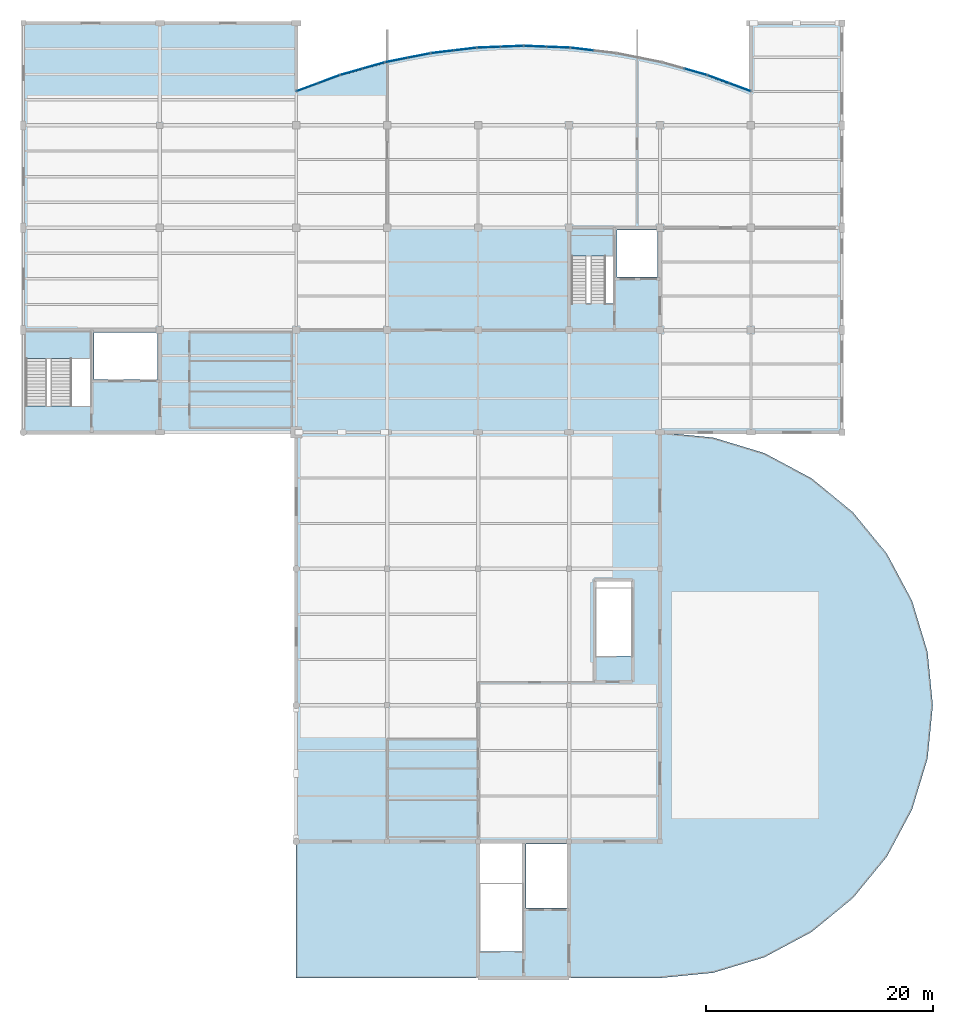
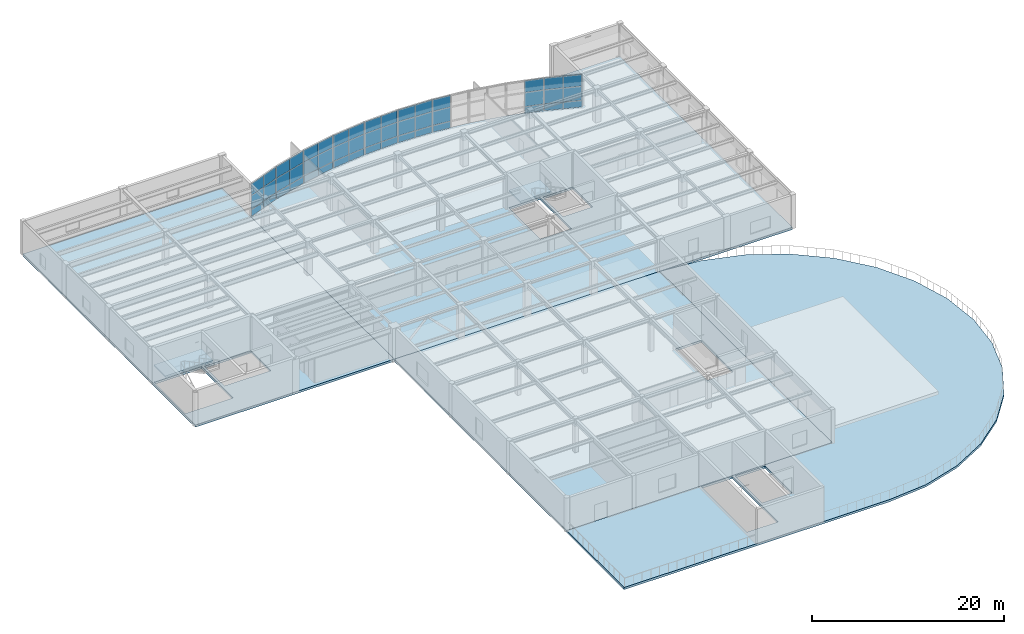
# One storey, part 6 of 16: 48 plates, 6 slabs, 11 elements without a shape of their own.
"""IFC4 building model written with IfcOpenShell, lengths in metres."""

from ifc_helpers import new_model, si_unit, direction, frame, origin, origin_2d, place, context, subcontext, project, spatial, polyline, rectangle, outline, extrude, material, layer, layer_set, type_object, element, aggregate, save


model = new_model("IFC4")

# Units and contexts
model_context = context("Model", 3, precision=1e-05, world=origin(), true_north=direction((0.0, 1.0)))
body_context = subcontext(model_context, "Body", "Model", "MODEL_VIEW")
ifc_project = project(units=[si_unit("LENGTHUNIT", "METRE"), si_unit("AREAUNIT", "SQUARE_METRE"), si_unit("VOLUMEUNIT", "CUBIC_METRE"), si_unit("PLANEANGLEUNIT", "RADIAN"), si_unit("MASSUNIT", "GRAM", prefix="KILO")], contexts=[model_context])

# Site, building, storey
site_placement = place(None, origin())
site = spatial("IfcSite", under=ifc_project, at=site_placement, CompositionType="ELEMENT")
building_placement = place(site_placement, origin())
building = spatial("IfcBuilding", under=site, at=building_placement, Name="Keelwater Ferry Terminal", CompositionType="ELEMENT")
storey_placement = place(building_placement, frame((0.0, 0.0, 15.0)))
storey = spatial("IfcBuildingStorey", under=building, at=storey_placement, Name="L03", CompositionType="ELEMENT", Elevation=15.0)

# Curtain wall, plates
ifc_material_1 = material(Name="Thermally broken unitised aluminium and triple glass", Category="aluminium")
ifc_layer_1 = layer(ifc_material_1, 0.179931640625)
ifc_layer_set_1 = layer_set([ifc_layer_1], Name="Thermally broken unitised aluminium and triple glass")
curtain_wall_type = type_object("IfcCurtainWallType", Name="CW-22 Unitised Curtain Wall 4015x4150", PredefinedType="USERDEFINED", material=ifc_layer_set_1)
curtain_wall_1_placement = place(storey_placement, origin())
curtain_wall_1 = element("IfcCurtainWall", 1, at=curtain_wall_1_placement, inside=storey, type_object=curtain_wall_type, Name="Unitised Curtain Wall CW-L03-203", ObjectType="UNITISED CURTAIN WALL", PredefinedType="USERDEFINED")
ifc_material_2 = material(Name="Insulated terracotta shadow-box spandrel", Category="masonry")
ifc_layer_2 = layer(ifc_material_2, 0.110107421875)
ifc_layer_set_2 = layer_set([ifc_layer_2], Name="Insulated terracotta shadow-box spandrel")
plate_type_1 = type_object("IfcPlateType", Name="CWP-S3 Insulated Spandrel Panel 110", PredefinedType="CURTAIN_PANEL", material=ifc_layer_set_2)
plate_1_placement = place(storey_placement, frame((171.01708984375, 120.364990234375, 0.0), z_axis=(0.0, 0.0, 1.0), x_axis=(-0.937592418253, 0.347736189136, 0.0)))
plate_1 = element("IfcPlate", 2, at=plate_1_placement, type_object=plate_type_1, Name="CW-L03-203 Panel 1.1", PredefinedType="CURTAIN_PANEL", context=body_context, shape_type="SweptSolid", body=[
    extrude(rectangle(XDim=2.00732421875, YDim=0.110107421875, at=origin_2d()), origin(), (0.0, 0.0, 1.0), 0.85009765625),
])
plate_2_placement = place(storey_placement, frame((169.135009765625, 121.06298828125, 0.0), z_axis=(0.0, 0.0, 1.0), x_axis=(-0.937592418253, 0.347736189136, 0.0)))
plate_2 = element("IfcPlate", 3, at=plate_2_placement, type_object=plate_type_1, Name="CW-L03-203 Panel 2.1", PredefinedType="CURTAIN_PANEL", context=body_context, shape_type="SweptSolid", body=[
    extrude(rectangle(XDim=2.00732421875, YDim=0.110107421875, at=origin_2d()), origin(), (0.0, 0.0, 1.0), 0.85009765625),
])

# Curtain wall, plate
curtain_wall_2_placement = place(storey_placement, origin())
curtain_wall_2 = element("IfcCurtainWall", 4, at=curtain_wall_2_placement, inside=storey, type_object=curtain_wall_type, Name="Unitised Curtain Wall CW-L03-204", ObjectType="UNITISED CURTAIN WALL", PredefinedType="USERDEFINED")
plate_3_placement = place(storey_placement, frame((167.143310546875, 121.714111328125, 0.0), z_axis=(0.0, 0.0, 1.0), x_axis=(-0.962029778706, 0.272944508797, 0.0)))
plate_3 = element("IfcPlate", 5, at=plate_3_placement, type_object=plate_type_1, Name="CW-L03-204 Panel 1.1", PredefinedType="CURTAIN_PANEL", context=body_context, shape_type="SweptSolid", body=[
    extrude(rectangle(XDim=2.0078125, YDim=0.110107421875, at=origin_2d()), origin(), (0.0, 0.0, 1.0), 0.85009765625),
])

curtain_wall_3_placement = place(storey_placement, origin())
curtain_wall_3 = element("IfcCurtainWall", 6, at=curtain_wall_3_placement, inside=storey, type_object=curtain_wall_type, Name="Unitised Curtain Wall CW-L03-206", ObjectType="UNITISED CURTAIN WALL", PredefinedType="USERDEFINED")
plate_4_placement = place(storey_placement, frame((157.1435546875, 123.71435546875, 0.0), z_axis=(0.0, 0.0, 1.0), x_axis=(-0.992974342459, 0.118329857676, 0.0)))
plate_4 = element("IfcPlate", 7, at=plate_4_placement, type_object=plate_type_1, Name="CW-L03-206 Panel 2.1", PredefinedType="CURTAIN_PANEL", context=body_context, shape_type="SweptSolid", body=[
    extrude(rectangle(XDim=2.007080078125, YDim=0.110107421875, at=origin_2d()), origin(), (0.0, 0.0, 1.0), 0.85009765625),
])

# Curtain wall, plates
curtain_wall_4_placement = place(storey_placement, origin())
curtain_wall_4 = element("IfcCurtainWall", 8, at=curtain_wall_4_placement, inside=storey, type_object=curtain_wall_type, Name="Unitised Curtain Wall CW-L03-207", ObjectType="UNITISED CURTAIN WALL", PredefinedType="USERDEFINED")
plate_5_placement = place(storey_placement, frame((155.053955078125, 123.87939453125, 0.0), z_axis=(0.0, 0.0, 1.0), x_axis=(-0.999225435626, 0.039351350652, 0.0)))
plate_5 = element("IfcPlate", 9, at=plate_5_placement, type_object=plate_type_1, Name="CW-L03-207 Panel 1.1", PredefinedType="CURTAIN_PANEL", context=body_context, shape_type="SweptSolid", body=[
    extrude(rectangle(XDim=2.007568359375, YDim=0.110107421875, at=origin_2d()), origin(), (0.0, 0.0, 1.0), 0.85009765625),
])
plate_6_placement = place(storey_placement, frame((153.048095703125, 123.95849609375, 0.0), z_axis=(0.0, 0.0, 1.0), x_axis=(-0.999225435626, 0.039351350652, 0.0)))
plate_6 = element("IfcPlate", 10, at=plate_6_placement, type_object=plate_type_1, Name="CW-L03-207 Panel 2.1", PredefinedType="CURTAIN_PANEL", context=body_context, shape_type="SweptSolid", body=[
    extrude(rectangle(XDim=2.007568359375, YDim=0.110107421875, at=origin_2d()), origin(), (0.0, 0.0, 1.0), 0.85009765625),
])

curtain_wall_5_placement = place(storey_placement, origin())
curtain_wall_5 = element("IfcCurtainWall", 11, at=curtain_wall_5_placement, inside=storey, type_object=curtain_wall_type, Name="Unitised Curtain Wall CW-L03-208", ObjectType="UNITISED CURTAIN WALL", PredefinedType="USERDEFINED")
plate_7_placement = place(storey_placement, frame((150.951904296875, 123.95849609375, 0.0), z_axis=(0.0, 0.0, 1.0), x_axis=(-0.999225435626, -0.039351350652, 0.0)))
plate_7 = element("IfcPlate", 12, at=plate_7_placement, type_object=plate_type_1, Name="CW-L03-208 Panel 1.1", PredefinedType="CURTAIN_PANEL", context=body_context, shape_type="SweptSolid", body=[
    extrude(rectangle(XDim=2.007568359375, YDim=0.110107421875, at=origin_2d()), origin(), (0.0, 0.0, 1.0), 0.85009765625),
])
plate_8_placement = place(storey_placement, frame((148.946044921875, 123.87939453125, 0.0), z_axis=(0.0, 0.0, 1.0), x_axis=(-0.999225435626, -0.039351350652, 0.0)))
plate_8 = element("IfcPlate", 13, at=plate_8_placement, type_object=plate_type_1, Name="CW-L03-208 Panel 2.1", PredefinedType="CURTAIN_PANEL", context=body_context, shape_type="SweptSolid", body=[
    extrude(rectangle(XDim=2.007568359375, YDim=0.110107421875, at=origin_2d()), origin(), (0.0, 0.0, 1.0), 0.85009765625),
])

curtain_wall_6_placement = place(storey_placement, origin())
curtain_wall_6 = element("IfcCurtainWall", 14, at=curtain_wall_6_placement, inside=storey, type_object=curtain_wall_type, Name="Unitised Curtain Wall CW-L03-209", ObjectType="UNITISED CURTAIN WALL", PredefinedType="USERDEFINED")
plate_9_placement = place(storey_placement, frame((146.8564453125, 123.71435546875, 0.0), z_axis=(0.0, 0.0, 1.0), x_axis=(-0.992974342459, -0.118329857676, 0.0)))
plate_9 = element("IfcPlate", 15, at=plate_9_placement, type_object=plate_type_1, Name="CW-L03-209 Panel 1.1", PredefinedType="CURTAIN_PANEL", context=body_context, shape_type="SweptSolid", body=[
    extrude(rectangle(XDim=2.007080078125, YDim=0.110107421875, at=origin_2d()), origin(), (0.0, 0.0, 1.0), 0.85009765625),
])
plate_10_placement = place(storey_placement, frame((144.863525390625, 123.476806640625, 0.0), z_axis=(0.0, 0.0, 1.0), x_axis=(-0.992974342459, -0.118329857676, 0.0)))
plate_10 = element("IfcPlate", 16, at=plate_10_placement, type_object=plate_type_1, Name="CW-L03-209 Panel 2.1", PredefinedType="CURTAIN_PANEL", context=body_context, shape_type="SweptSolid", body=[
    extrude(rectangle(XDim=2.007080078125, YDim=0.110107421875, at=origin_2d()), origin(), (0.0, 0.0, 1.0), 0.85009765625),
])

curtain_wall_7_placement = place(storey_placement, origin())
curtain_wall_7 = element("IfcCurtainWall", 17, at=curtain_wall_7_placement, inside=storey, type_object=curtain_wall_type, Name="Unitised Curtain Wall CW-L03-210", ObjectType="UNITISED CURTAIN WALL", PredefinedType="USERDEFINED")
plate_11_placement = place(storey_placement, frame((142.793701171875, 123.147216796875, 0.0), z_axis=(0.0, 0.0, 1.0), x_axis=(-0.98059983046, -0.196020336958, 0.0)))
plate_11 = element("IfcPlate", 18, at=plate_11_placement, type_object=plate_type_1, Name="CW-L03-210 Panel 1.1", PredefinedType="CURTAIN_PANEL", context=body_context, shape_type="SweptSolid", body=[
    extrude(rectangle(XDim=2.00732421875, YDim=0.110107421875, at=origin_2d()), origin(), (0.0, 0.0, 1.0), 0.85009765625),
])
plate_12_placement = place(storey_placement, frame((140.8251953125, 122.753662109375, 0.0), z_axis=(0.0, 0.0, 1.0), x_axis=(-0.98059983046, -0.196020336958, 0.0)))
plate_12 = element("IfcPlate", 19, at=plate_12_placement, type_object=plate_type_1, Name="CW-L03-210 Panel 2.1", PredefinedType="CURTAIN_PANEL", context=body_context, shape_type="SweptSolid", body=[
    extrude(rectangle(XDim=2.00732421875, YDim=0.110107421875, at=origin_2d()), origin(), (0.0, 0.0, 1.0), 0.85009765625),
])

curtain_wall_8_placement = place(storey_placement, origin())
curtain_wall_8 = element("IfcCurtainWall", 20, at=curtain_wall_8_placement, inside=storey, type_object=curtain_wall_type, Name="Unitised Curtain Wall CW-L03-211", ObjectType="UNITISED CURTAIN WALL", PredefinedType="USERDEFINED")
plate_13_placement = place(storey_placement, frame((138.788330078125, 122.261962890625, 0.0), z_axis=(0.0, 0.0, 1.0), x_axis=(-0.962029778706, -0.272944508797, 0.0)))
plate_13 = element("IfcPlate", 21, at=plate_13_placement, type_object=plate_type_1, Name="CW-L03-211 Panel 1.1", PredefinedType="CURTAIN_PANEL", context=body_context, shape_type="SweptSolid", body=[
    extrude(rectangle(XDim=2.0078125, YDim=0.110107421875, at=origin_2d()), origin(), (0.0, 0.0, 1.0), 0.85009765625),
])
plate_14_placement = place(storey_placement, frame((136.856689453125, 121.714111328125, 0.0), z_axis=(0.0, 0.0, 1.0), x_axis=(-0.962029778706, -0.272944508797, 0.0)))
plate_14 = element("IfcPlate", 22, at=plate_14_placement, type_object=plate_type_1, Name="CW-L03-211 Panel 2.1", PredefinedType="CURTAIN_PANEL", context=body_context, shape_type="SweptSolid", body=[
    extrude(rectangle(XDim=2.0078125, YDim=0.110107421875, at=origin_2d()), origin(), (0.0, 0.0, 1.0), 0.85009765625),
])

curtain_wall_9_placement = place(storey_placement, origin())
curtain_wall_9 = element("IfcCurtainWall", 23, at=curtain_wall_9_placement, inside=storey, type_object=curtain_wall_type, Name="Unitised Curtain Wall CW-L03-212", ObjectType="UNITISED CURTAIN WALL", PredefinedType="USERDEFINED")
plate_15_placement = place(storey_placement, frame((134.864990234375, 121.06298828125, 0.0), z_axis=(0.0, 0.0, 1.0), x_axis=(-0.937592418253, -0.347736189136, 0.0)))
plate_15 = element("IfcPlate", 24, at=plate_15_placement, type_object=plate_type_1, Name="CW-L03-212 Panel 1.1", PredefinedType="CURTAIN_PANEL", context=body_context, shape_type="SweptSolid", body=[
    extrude(rectangle(XDim=2.00732421875, YDim=0.110107421875, at=origin_2d()), origin(), (0.0, 0.0, 1.0), 0.85009765625),
])
plate_16_placement = place(storey_placement, frame((132.98291015625, 120.364990234375, 0.0), z_axis=(0.0, 0.0, 1.0), x_axis=(-0.937592418253, -0.347736189136, 0.0)))
plate_16 = element("IfcPlate", 25, at=plate_16_placement, type_object=plate_type_1, Name="CW-L03-212 Panel 2.1", PredefinedType="CURTAIN_PANEL", context=body_context, shape_type="SweptSolid", body=[
    extrude(rectangle(XDim=2.00732421875, YDim=0.110107421875, at=origin_2d()), origin(), (0.0, 0.0, 1.0), 0.85009765625),
])

# Plate
ifc_material_3 = material(Name="Triple low-E laminated glass", Category="glass")
ifc_layer_3 = layer(ifc_material_3, 0.035888671875)
ifc_layer_set_3 = layer_set([ifc_layer_3], Name="Triple low-E laminated glass")
plate_type_2 = type_object("IfcPlateType", Name="CWP-V1 Glazed Vision Panel 36", PredefinedType="CURTAIN_PANEL", material=ifc_layer_set_3)
plate_17_placement = place(storey_placement, frame((171.01708984375, 120.364990234375, 0.85009765625), z_axis=(0.0, 0.0, 1.0), x_axis=(-0.937592418253, 0.347736189136, 0.0)))
plate_17 = element("IfcPlate", 26, at=plate_17_placement, type_object=plate_type_2, Name="CW-L03-203 Panel 1.2", PredefinedType="CURTAIN_PANEL", context=body_context, shape_type="SweptSolid", body=[
    extrude(rectangle(XDim=2.00732421875, YDim=0.035888671875, at=origin_2d()), origin(), (0.0, 0.0, 1.0), 1.800048828125),
])

plate_18_placement = place(storey_placement, frame((171.01708984375, 120.364990234375, 2.64990234375), z_axis=(0.0, 0.0, 1.0), x_axis=(-0.937592418253, 0.347736189136, 0.0)))
plate_18 = element("IfcPlate", 27, at=plate_18_placement, type_object=plate_type_2, Name="CW-L03-203 Panel 1.3", PredefinedType="CURTAIN_PANEL", context=body_context, shape_type="SweptSolid", body=[
    extrude(rectangle(XDim=2.00732421875, YDim=0.035888671875, at=origin_2d()), origin(), (0.0, 0.0, 1.0), 1.5),
])

plate_19_placement = place(storey_placement, frame((169.135009765625, 121.06298828125, 0.85009765625), z_axis=(0.0, 0.0, 1.0), x_axis=(-0.937592418253, 0.347736189136, 0.0)))
plate_19 = element("IfcPlate", 28, at=plate_19_placement, type_object=plate_type_2, Name="CW-L03-203 Panel 2.2", PredefinedType="CURTAIN_PANEL", context=body_context, shape_type="SweptSolid", body=[
    extrude(rectangle(XDim=2.00732421875, YDim=0.035888671875, at=origin_2d()), origin(), (0.0, 0.0, 1.0), 1.800048828125),
])

plate_20_placement = place(storey_placement, frame((169.135009765625, 121.06298828125, 2.64990234375), z_axis=(0.0, 0.0, 1.0), x_axis=(-0.937592418253, 0.347736189136, 0.0)))
plate_20 = element("IfcPlate", 29, at=plate_20_placement, type_object=plate_type_2, Name="CW-L03-203 Panel 2.3", PredefinedType="CURTAIN_PANEL", context=body_context, shape_type="SweptSolid", body=[
    extrude(rectangle(XDim=2.00732421875, YDim=0.035888671875, at=origin_2d()), origin(), (0.0, 0.0, 1.0), 1.5),
])

aggregate(curtain_wall_1, [plate_1, plate_17, plate_18, plate_2, plate_19, plate_20])

plate_21_placement = place(storey_placement, frame((167.143310546875, 121.714111328125, 0.85009765625), z_axis=(0.0, 0.0, 1.0), x_axis=(-0.962029778706, 0.272944508797, 0.0)))
plate_21 = element("IfcPlate", 30, at=plate_21_placement, type_object=plate_type_2, Name="CW-L03-204 Panel 1.2", PredefinedType="CURTAIN_PANEL", context=body_context, shape_type="SweptSolid", body=[
    extrude(rectangle(XDim=2.0078125, YDim=0.035888671875, at=origin_2d()), origin(), (0.0, 0.0, 1.0), 1.800048828125),
])

plate_22_placement = place(storey_placement, frame((167.143310546875, 121.714111328125, 2.64990234375), z_axis=(0.0, 0.0, 1.0), x_axis=(-0.962029778706, 0.272944508797, 0.0)))
plate_22 = element("IfcPlate", 31, at=plate_22_placement, type_object=plate_type_2, Name="CW-L03-204 Panel 1.3", PredefinedType="CURTAIN_PANEL", context=body_context, shape_type="SweptSolid", body=[
    extrude(rectangle(XDim=2.0078125, YDim=0.035888671875, at=origin_2d()), origin(), (0.0, 0.0, 1.0), 1.5),
])

aggregate(curtain_wall_2, [plate_3, plate_21, plate_22])

plate_23_placement = place(storey_placement, frame((157.1435546875, 123.71435546875, 0.85009765625), z_axis=(0.0, 0.0, 1.0), x_axis=(-0.992974342459, 0.118329857676, 0.0)))
plate_23 = element("IfcPlate", 32, at=plate_23_placement, type_object=plate_type_2, Name="CW-L03-206 Panel 2.2", PredefinedType="CURTAIN_PANEL", context=body_context, shape_type="SweptSolid", body=[
    extrude(rectangle(XDim=2.007080078125, YDim=0.035888671875, at=origin_2d()), origin(), (0.0, 0.0, 1.0), 1.800048828125),
])

plate_24_placement = place(storey_placement, frame((157.1435546875, 123.71435546875, 2.64990234375), z_axis=(0.0, 0.0, 1.0), x_axis=(-0.992974342459, 0.118329857676, 0.0)))
plate_24 = element("IfcPlate", 33, at=plate_24_placement, type_object=plate_type_2, Name="CW-L03-206 Panel 2.3", PredefinedType="CURTAIN_PANEL", context=body_context, shape_type="SweptSolid", body=[
    extrude(rectangle(XDim=2.007080078125, YDim=0.035888671875, at=origin_2d()), origin(), (0.0, 0.0, 1.0), 1.5),
])

aggregate(curtain_wall_3, [plate_4, plate_23, plate_24])

plate_25_placement = place(storey_placement, frame((155.053955078125, 123.87939453125, 0.85009765625), z_axis=(0.0, 0.0, 1.0), x_axis=(-0.999225435626, 0.039351350652, 0.0)))
plate_25 = element("IfcPlate", 34, at=plate_25_placement, type_object=plate_type_2, Name="CW-L03-207 Panel 1.2", PredefinedType="CURTAIN_PANEL", context=body_context, shape_type="SweptSolid", body=[
    extrude(rectangle(XDim=2.007568359375, YDim=0.035888671875, at=origin_2d()), origin(), (0.0, 0.0, 1.0), 1.800048828125),
])

plate_26_placement = place(storey_placement, frame((155.053955078125, 123.87939453125, 2.64990234375), z_axis=(0.0, 0.0, 1.0), x_axis=(-0.999225435626, 0.039351350652, 0.0)))
plate_26 = element("IfcPlate", 35, at=plate_26_placement, type_object=plate_type_2, Name="CW-L03-207 Panel 1.3", PredefinedType="CURTAIN_PANEL", context=body_context, shape_type="SweptSolid", body=[
    extrude(rectangle(XDim=2.007568359375, YDim=0.035888671875, at=origin_2d()), origin(), (0.0, 0.0, 1.0), 1.5),
])

plate_27_placement = place(storey_placement, frame((153.048095703125, 123.95849609375, 0.85009765625), z_axis=(0.0, 0.0, 1.0), x_axis=(-0.999225435626, 0.039351350652, 0.0)))
plate_27 = element("IfcPlate", 36, at=plate_27_placement, type_object=plate_type_2, Name="CW-L03-207 Panel 2.2", PredefinedType="CURTAIN_PANEL", context=body_context, shape_type="SweptSolid", body=[
    extrude(rectangle(XDim=2.007568359375, YDim=0.035888671875, at=origin_2d()), origin(), (0.0, 0.0, 1.0), 1.800048828125),
])

plate_28_placement = place(storey_placement, frame((153.048095703125, 123.95849609375, 2.64990234375), z_axis=(0.0, 0.0, 1.0), x_axis=(-0.999225435626, 0.039351350652, 0.0)))
plate_28 = element("IfcPlate", 37, at=plate_28_placement, type_object=plate_type_2, Name="CW-L03-207 Panel 2.3", PredefinedType="CURTAIN_PANEL", context=body_context, shape_type="SweptSolid", body=[
    extrude(rectangle(XDim=2.007568359375, YDim=0.035888671875, at=origin_2d()), origin(), (0.0, 0.0, 1.0), 1.5),
])

aggregate(curtain_wall_4, [plate_5, plate_25, plate_26, plate_6, plate_27, plate_28])

plate_29_placement = place(storey_placement, frame((150.951904296875, 123.95849609375, 0.85009765625), z_axis=(0.0, 0.0, 1.0), x_axis=(-0.999225435626, -0.039351350652, 0.0)))
plate_29 = element("IfcPlate", 38, at=plate_29_placement, type_object=plate_type_2, Name="CW-L03-208 Panel 1.2", PredefinedType="CURTAIN_PANEL", context=body_context, shape_type="SweptSolid", body=[
    extrude(rectangle(XDim=2.007568359375, YDim=0.035888671875, at=origin_2d()), origin(), (0.0, 0.0, 1.0), 1.800048828125),
])

plate_30_placement = place(storey_placement, frame((150.951904296875, 123.95849609375, 2.64990234375), z_axis=(0.0, 0.0, 1.0), x_axis=(-0.999225435626, -0.039351350652, 0.0)))
plate_30 = element("IfcPlate", 39, at=plate_30_placement, type_object=plate_type_2, Name="CW-L03-208 Panel 1.3", PredefinedType="CURTAIN_PANEL", context=body_context, shape_type="SweptSolid", body=[
    extrude(rectangle(XDim=2.007568359375, YDim=0.035888671875, at=origin_2d()), origin(), (0.0, 0.0, 1.0), 1.5),
])

plate_31_placement = place(storey_placement, frame((148.946044921875, 123.87939453125, 0.85009765625), z_axis=(0.0, 0.0, 1.0), x_axis=(-0.999225435626, -0.039351350652, 0.0)))
plate_31 = element("IfcPlate", 40, at=plate_31_placement, type_object=plate_type_2, Name="CW-L03-208 Panel 2.2", PredefinedType="CURTAIN_PANEL", context=body_context, shape_type="SweptSolid", body=[
    extrude(rectangle(XDim=2.007568359375, YDim=0.035888671875, at=origin_2d()), origin(), (0.0, 0.0, 1.0), 1.800048828125),
])

plate_32_placement = place(storey_placement, frame((148.946044921875, 123.87939453125, 2.64990234375), z_axis=(0.0, 0.0, 1.0), x_axis=(-0.999225435626, -0.039351350652, 0.0)))
plate_32 = element("IfcPlate", 41, at=plate_32_placement, type_object=plate_type_2, Name="CW-L03-208 Panel 2.3", PredefinedType="CURTAIN_PANEL", context=body_context, shape_type="SweptSolid", body=[
    extrude(rectangle(XDim=2.007568359375, YDim=0.035888671875, at=origin_2d()), origin(), (0.0, 0.0, 1.0), 1.5),
])

aggregate(curtain_wall_5, [plate_7, plate_29, plate_30, plate_8, plate_31, plate_32])

plate_33_placement = place(storey_placement, frame((146.8564453125, 123.71435546875, 0.85009765625), z_axis=(0.0, 0.0, 1.0), x_axis=(-0.992974342459, -0.118329857676, 0.0)))
plate_33 = element("IfcPlate", 42, at=plate_33_placement, type_object=plate_type_2, Name="CW-L03-209 Panel 1.2", PredefinedType="CURTAIN_PANEL", context=body_context, shape_type="SweptSolid", body=[
    extrude(rectangle(XDim=2.007080078125, YDim=0.035888671875, at=origin_2d()), origin(), (0.0, 0.0, 1.0), 1.800048828125),
])

plate_34_placement = place(storey_placement, frame((146.8564453125, 123.71435546875, 2.64990234375), z_axis=(0.0, 0.0, 1.0), x_axis=(-0.992974342459, -0.118329857676, 0.0)))
plate_34 = element("IfcPlate", 43, at=plate_34_placement, type_object=plate_type_2, Name="CW-L03-209 Panel 1.3", PredefinedType="CURTAIN_PANEL", context=body_context, shape_type="SweptSolid", body=[
    extrude(rectangle(XDim=2.007080078125, YDim=0.035888671875, at=origin_2d()), origin(), (0.0, 0.0, 1.0), 1.5),
])

plate_35_placement = place(storey_placement, frame((144.863525390625, 123.476806640625, 0.85009765625), z_axis=(0.0, 0.0, 1.0), x_axis=(-0.992974342459, -0.118329857676, 0.0)))
plate_35 = element("IfcPlate", 44, at=plate_35_placement, type_object=plate_type_2, Name="CW-L03-209 Panel 2.2", PredefinedType="CURTAIN_PANEL", context=body_context, shape_type="SweptSolid", body=[
    extrude(rectangle(XDim=2.007080078125, YDim=0.035888671875, at=origin_2d()), origin(), (0.0, 0.0, 1.0), 1.800048828125),
])

plate_36_placement = place(storey_placement, frame((144.863525390625, 123.476806640625, 2.64990234375), z_axis=(0.0, 0.0, 1.0), x_axis=(-0.992974342459, -0.118329857676, 0.0)))
plate_36 = element("IfcPlate", 45, at=plate_36_placement, type_object=plate_type_2, Name="CW-L03-209 Panel 2.3", PredefinedType="CURTAIN_PANEL", context=body_context, shape_type="SweptSolid", body=[
    extrude(rectangle(XDim=2.007080078125, YDim=0.035888671875, at=origin_2d()), origin(), (0.0, 0.0, 1.0), 1.5),
])

aggregate(curtain_wall_6, [plate_9, plate_33, plate_34, plate_10, plate_35, plate_36])

plate_37_placement = place(storey_placement, frame((142.793701171875, 123.147216796875, 0.85009765625), z_axis=(0.0, 0.0, 1.0), x_axis=(-0.98059983046, -0.196020336958, 0.0)))
plate_37 = element("IfcPlate", 46, at=plate_37_placement, type_object=plate_type_2, Name="CW-L03-210 Panel 1.2", PredefinedType="CURTAIN_PANEL", context=body_context, shape_type="SweptSolid", body=[
    extrude(rectangle(XDim=2.00732421875, YDim=0.035888671875, at=origin_2d()), origin(), (0.0, 0.0, 1.0), 1.800048828125),
])

plate_38_placement = place(storey_placement, frame((142.793701171875, 123.147216796875, 2.64990234375), z_axis=(0.0, 0.0, 1.0), x_axis=(-0.98059983046, -0.196020336958, 0.0)))
plate_38 = element("IfcPlate", 47, at=plate_38_placement, type_object=plate_type_2, Name="CW-L03-210 Panel 1.3", PredefinedType="CURTAIN_PANEL", context=body_context, shape_type="SweptSolid", body=[
    extrude(rectangle(XDim=2.00732421875, YDim=0.035888671875, at=origin_2d()), origin(), (0.0, 0.0, 1.0), 1.5),
])

plate_39_placement = place(storey_placement, frame((140.8251953125, 122.753662109375, 0.85009765625), z_axis=(0.0, 0.0, 1.0), x_axis=(-0.98059983046, -0.196020336958, 0.0)))
plate_39 = element("IfcPlate", 48, at=plate_39_placement, type_object=plate_type_2, Name="CW-L03-210 Panel 2.2", PredefinedType="CURTAIN_PANEL", context=body_context, shape_type="SweptSolid", body=[
    extrude(rectangle(XDim=2.00732421875, YDim=0.035888671875, at=origin_2d()), origin(), (0.0, 0.0, 1.0), 1.800048828125),
])

plate_40_placement = place(storey_placement, frame((140.8251953125, 122.753662109375, 2.64990234375), z_axis=(0.0, 0.0, 1.0), x_axis=(-0.98059983046, -0.196020336958, 0.0)))
plate_40 = element("IfcPlate", 49, at=plate_40_placement, type_object=plate_type_2, Name="CW-L03-210 Panel 2.3", PredefinedType="CURTAIN_PANEL", context=body_context, shape_type="SweptSolid", body=[
    extrude(rectangle(XDim=2.00732421875, YDim=0.035888671875, at=origin_2d()), origin(), (0.0, 0.0, 1.0), 1.5),
])

aggregate(curtain_wall_7, [plate_11, plate_37, plate_38, plate_12, plate_39, plate_40])

plate_41_placement = place(storey_placement, frame((138.788330078125, 122.261962890625, 0.85009765625), z_axis=(0.0, 0.0, 1.0), x_axis=(-0.962029778706, -0.272944508797, 0.0)))
plate_41 = element("IfcPlate", 50, at=plate_41_placement, type_object=plate_type_2, Name="CW-L03-211 Panel 1.2", PredefinedType="CURTAIN_PANEL", context=body_context, shape_type="SweptSolid", body=[
    extrude(rectangle(XDim=2.0078125, YDim=0.035888671875, at=origin_2d()), origin(), (0.0, 0.0, 1.0), 1.800048828125),
])

plate_42_placement = place(storey_placement, frame((138.788330078125, 122.261962890625, 2.64990234375), z_axis=(0.0, 0.0, 1.0), x_axis=(-0.962029778706, -0.272944508797, 0.0)))
plate_42 = element("IfcPlate", 51, at=plate_42_placement, type_object=plate_type_2, Name="CW-L03-211 Panel 1.3", PredefinedType="CURTAIN_PANEL", context=body_context, shape_type="SweptSolid", body=[
    extrude(rectangle(XDim=2.0078125, YDim=0.035888671875, at=origin_2d()), origin(), (0.0, 0.0, 1.0), 1.5),
])

plate_43_placement = place(storey_placement, frame((136.856689453125, 121.714111328125, 0.85009765625), z_axis=(0.0, 0.0, 1.0), x_axis=(-0.962029778706, -0.272944508797, 0.0)))
plate_43 = element("IfcPlate", 52, at=plate_43_placement, type_object=plate_type_2, Name="CW-L03-211 Panel 2.2", PredefinedType="CURTAIN_PANEL", context=body_context, shape_type="SweptSolid", body=[
    extrude(rectangle(XDim=2.0078125, YDim=0.035888671875, at=origin_2d()), origin(), (0.0, 0.0, 1.0), 1.800048828125),
])

plate_44_placement = place(storey_placement, frame((136.856689453125, 121.714111328125, 2.64990234375), z_axis=(0.0, 0.0, 1.0), x_axis=(-0.962029778706, -0.272944508797, 0.0)))
plate_44 = element("IfcPlate", 53, at=plate_44_placement, type_object=plate_type_2, Name="CW-L03-211 Panel 2.3", PredefinedType="CURTAIN_PANEL", context=body_context, shape_type="SweptSolid", body=[
    extrude(rectangle(XDim=2.0078125, YDim=0.035888671875, at=origin_2d()), origin(), (0.0, 0.0, 1.0), 1.5),
])

aggregate(curtain_wall_8, [plate_13, plate_41, plate_42, plate_14, plate_43, plate_44])

plate_45_placement = place(storey_placement, frame((134.864990234375, 121.06298828125, 0.85009765625), z_axis=(0.0, 0.0, 1.0), x_axis=(-0.937592418253, -0.347736189136, 0.0)))
plate_45 = element("IfcPlate", 54, at=plate_45_placement, type_object=plate_type_2, Name="CW-L03-212 Panel 1.2", PredefinedType="CURTAIN_PANEL", context=body_context, shape_type="SweptSolid", body=[
    extrude(rectangle(XDim=2.00732421875, YDim=0.035888671875, at=origin_2d()), origin(), (0.0, 0.0, 1.0), 1.800048828125),
])

plate_46_placement = place(storey_placement, frame((134.864990234375, 121.06298828125, 2.64990234375), z_axis=(0.0, 0.0, 1.0), x_axis=(-0.937592418253, -0.347736189136, 0.0)))
plate_46 = element("IfcPlate", 55, at=plate_46_placement, type_object=plate_type_2, Name="CW-L03-212 Panel 1.3", PredefinedType="CURTAIN_PANEL", context=body_context, shape_type="SweptSolid", body=[
    extrude(rectangle(XDim=2.00732421875, YDim=0.035888671875, at=origin_2d()), origin(), (0.0, 0.0, 1.0), 1.5),
])

plate_47_placement = place(storey_placement, frame((132.98291015625, 120.364990234375, 0.85009765625), z_axis=(0.0, 0.0, 1.0), x_axis=(-0.937592418253, -0.347736189136, 0.0)))
plate_47 = element("IfcPlate", 56, at=plate_47_placement, type_object=plate_type_2, Name="CW-L03-212 Panel 2.2", PredefinedType="CURTAIN_PANEL", context=body_context, shape_type="SweptSolid", body=[
    extrude(rectangle(XDim=2.00732421875, YDim=0.035888671875, at=origin_2d()), origin(), (0.0, 0.0, 1.0), 1.800048828125),
])

plate_48_placement = place(storey_placement, frame((132.98291015625, 120.364990234375, 2.64990234375), z_axis=(0.0, 0.0, 1.0), x_axis=(-0.937592418253, -0.347736189136, 0.0)))
plate_48 = element("IfcPlate", 57, at=plate_48_placement, type_object=plate_type_2, Name="CW-L03-212 Panel 2.3", PredefinedType="CURTAIN_PANEL", context=body_context, shape_type="SweptSolid", body=[
    extrude(rectangle(XDim=2.00732421875, YDim=0.035888671875, at=origin_2d()), origin(), (0.0, 0.0, 1.0), 1.5),
])

aggregate(curtain_wall_9, [plate_15, plate_45, plate_46, plate_16, plate_47, plate_48])

# Slabs
ifc_material_4 = material(Name="Concrete C40/50", Category="concrete")
ifc_layer_4 = layer(ifc_material_4, 0.280029296875)
ifc_layer_set_4 = layer_set([ifc_layer_4], Name="Concrete C40/50")
slab_type_1 = type_object("IfcSlabType", Name="SL-EX280 Outdoor Suspended Floor Slab 280", PredefinedType="FLOOR", material=ifc_layer_set_4)
slab_1_placement = place(storey_placement, frame((0.0, 0.0, -0.280029296875)))
element("IfcSlab", 58, at=slab_1_placement, inside=storey, type_object=slab_type_1, Name="East Semicircular Roof Garden Terrace Slab SL-L03-048", PredefinedType="FLOOR", context=body_context, shape_type="SweptSolid", body=[
    extrude(outline(polyline([(132.0, 42.0), (164.0, 42.0), (168.681884765625, 42.4609375), (173.18408203125, 43.826904296875), (177.333984375, 46.044921875), (180.970947265625, 49.029052734375), (183.955078125, 52.666015625), (186.173095703125, 56.81591796875), (187.5390625, 61.318115234375), (188.0, 66.0), (187.5390625, 70.681884765625), (186.173095703125, 75.18408203125), (183.955078125, 79.333984375), (180.970947265625, 82.970947265625), (177.333984375, 85.955078125), (173.18408203125, 88.173095703125), (168.681884765625, 89.5390625), (164.0, 90.0), (164.0, 54.0), (132.0, 54.0), (132.0, 42.0)]), holes=[polyline([(148.14990234375, 44.320068359375), (151.89990234375, 44.320068359375), (151.89990234375, 53.89990234375), (148.14990234375, 53.89990234375), (148.14990234375, 44.320068359375)]), polyline([(152.199951171875, 48.14990234375), (155.800048828125, 48.14990234375), (155.800048828125, 53.800048828125), (152.199951171875, 53.800048828125), (152.199951171875, 48.14990234375)])]), origin(), (0.0, 0.0, 1.0), 0.280029296875),
])
ifc_material_5 = material(Name="Concrete C40/50", Category="concrete")
ifc_layer_5 = layer(ifc_material_5, 0.280029296875)
ifc_layer_set_5 = layer_set([ifc_layer_5], Name="Concrete C40/50")
slab_type_2 = type_object("IfcSlabType", Name="SL-F280 Suspended Floor Slab 280", PredefinedType="FLOOR", material=ifc_layer_set_5)
slab_2_placement = place(storey_placement, frame((0.0, 0.0, -0.280029296875)))
element("IfcSlab", 59, at=slab_2_placement, inside=storey, type_object=slab_type_2, Name="V2 Exhibition Gallery Floor Slab SL-L03-047", PredefinedType="FLOOR", context=body_context, shape_type="SweptSolid", body=[
    extrude(outline(polyline([(132.0, 54.0), (164.0, 54.0), (164.0, 90.0), (132.0, 90.0), (132.0, 54.0)]), holes=[polyline([(158.35009765625, 70.320068359375), (161.5, 70.320068359375), (161.5, 76.949951171875), (158.35009765625, 76.949951171875), (158.35009765625, 70.320068359375)])]), origin(), (0.0, 0.0, 1.0), 0.280029296875),
])
slab_3_placement = place(storey_placement, frame((0.0, 0.0, -0.280029296875)))
element("IfcSlab", 60, at=slab_3_placement, inside=storey, type_object=slab_type_2, Name="V5 West Level L03 Floor Slab SL-L03-049", PredefinedType="FLOOR", context=body_context, shape_type="SweptSolid", body=[
    extrude(outline(polyline([(108.0, 90.0), (132.0, 90.0), (132.0, 126.0), (108.0, 126.0), (108.0, 90.0)]), holes=[polyline([(108.14990234375, 92.320068359375), (113.89990234375, 92.320068359375), (113.89990234375, 98.89990234375), (108.14990234375, 98.89990234375), (108.14990234375, 92.320068359375)]), polyline([(114.199951171875, 94.64990234375), (119.800048828125, 94.64990234375), (119.800048828125, 98.800048828125), (114.199951171875, 98.800048828125), (114.199951171875, 94.64990234375)])]), origin(), (0.0, 0.0, 1.0), 0.280029296875),
])
slab_4_placement = place(storey_placement, frame((0.0, 0.0, -0.280029296875)))
element("IfcSlab", 61, at=slab_4_placement, inside=storey, type_object=slab_type_2, Name="V5 East Level L03 Floor Slab SL-L03-050", PredefinedType="FLOOR", context=body_context, shape_type="SweptSolid", body=[
    extrude(outline(polyline([(132.0, 90.0), (180.0, 90.0), (180.0, 126.0), (172.0, 126.0), (172.0, 120.0), (170.090087890625, 120.751953125), (168.152099609375, 121.427978515625), (166.18798828125, 122.027099609375), (164.202880859375, 122.548095703125), (162.197998046875, 122.989990234375), (160.177978515625, 123.35302734375), (158.14404296875, 123.635986328125), (156.10205078125, 123.837890625), (154.052001953125, 123.958984375), (152.0, 124.0), (149.947998046875, 123.958984375), (147.89794921875, 123.837890625), (145.85595703125, 123.635986328125), (143.822021484375, 123.35302734375), (141.802001953125, 122.989990234375), (139.797119140625, 122.548095703125), (137.81201171875, 122.027099609375), (135.847900390625, 121.427978515625), (133.909912109375, 120.751953125), (132.0, 120.0), (132.0, 90.0)]), holes=[polyline([(156.14990234375, 101.320068359375), (159.89990234375, 101.320068359375), (159.89990234375, 107.89990234375), (156.14990234375, 107.89990234375), (156.14990234375, 101.320068359375)]), polyline([(160.199951171875, 103.64990234375), (163.800048828125, 103.64990234375), (163.800048828125, 107.800048828125), (160.199951171875, 107.800048828125), (160.199951171875, 103.64990234375)])]), origin(), (0.0, 0.0, 1.0), 0.280029296875),
])

# Stair, slab
ifc_material_6 = material(Name="Concrete C40/50", Category="concrete")
stair_type_1 = type_object("IfcStairType", Name="ST-T05 Half-Turn Stair 1850W 30R", PredefinedType="HALF_TURN_STAIR", material=ifc_material_6)
stair_1_placement = place(storey_placement, origin())
stair_1 = element("IfcStair", 62, at=stair_1_placement, inside=storey, type_object=stair_type_1, Name="Half-Turn Stair ST-C2-L03", PredefinedType="HALF_TURN_STAIR")
ifc_material_7 = material(Name="Concrete C40/50", Category="concrete")
ifc_layer_6 = layer(ifc_material_7, 0.219970703125)
ifc_layer_set_6 = layer_set([ifc_layer_6], Name="Concrete C40/50")
slab_type_3 = type_object("IfcSlabType", Name="SL-LD220 Stair Landing Slab 220", PredefinedType="LANDING", material=ifc_layer_set_6)
slab_5_placement = place(storey_placement, frame((0.0, 0.0, 2.030029296875)))
slab_5 = element("IfcSlab", 63, at=slab_5_placement, type_object=slab_type_3, Name="ST-C2-L03 landing 1", PredefinedType="LANDING", context=body_context, shape_type="SweptSolid", body=[
    extrude(outline(polyline([(108.14990234375, 96.5), (113.8798828125, 96.5), (113.8798828125, 98.89990234375), (108.14990234375, 98.89990234375), (108.14990234375, 96.5)])), origin(), (0.0, 0.0, 1.0), 0.219970703125),
])
aggregate(stair_1, [slab_5])

ifc_material_8 = material(Name="Concrete C40/50", Category="concrete")
stair_type_2 = type_object("IfcStairType", Name="ST-T07 Half-Turn Stair 1350W 30R", PredefinedType="HALF_TURN_STAIR", material=ifc_material_8)
stair_2_placement = place(storey_placement, origin())
stair_2 = element("IfcStair", 64, at=stair_2_placement, inside=storey, type_object=stair_type_2, Name="Half-Turn Stair ST-C3-L03", PredefinedType="HALF_TURN_STAIR")
slab_6_placement = place(storey_placement, frame((0.0, 0.0, 2.030029296875)))
slab_6 = element("IfcSlab", 65, at=slab_6_placement, type_object=slab_type_3, Name="ST-C3-L03 landing 1", PredefinedType="LANDING", context=body_context, shape_type="SweptSolid", body=[
    extrude(outline(polyline([(156.14990234375, 105.5), (159.8798828125, 105.5), (159.8798828125, 107.89990234375), (156.14990234375, 107.89990234375), (156.14990234375, 105.5)])), origin(), (0.0, 0.0, 1.0), 0.219970703125),
])
aggregate(stair_2, [slab_6])

save(model, "model.ifc")
